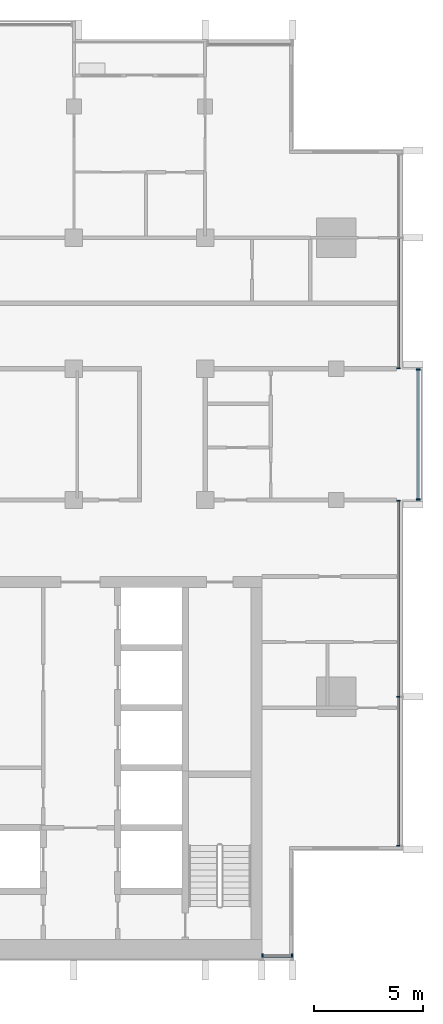
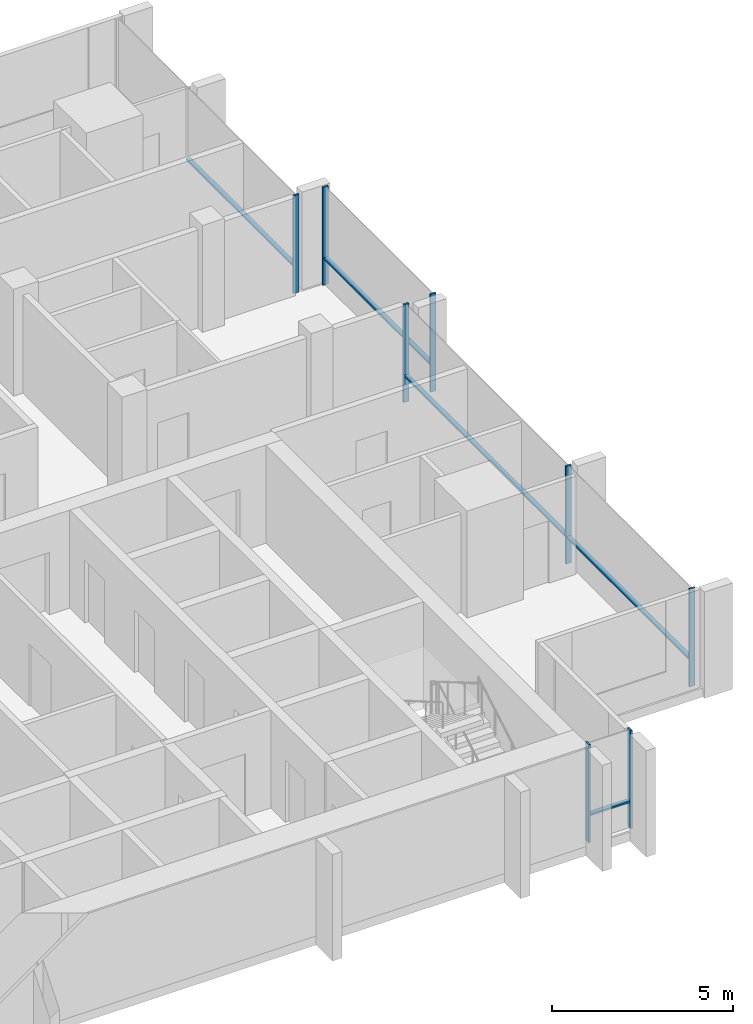
# One storey, part 3 of 16: 13 members, 4 elements without a shape of their own.
"""IFC4 building model written with IfcOpenShell, lengths in metres."""

from ifc_helpers import new_model, si_unit, direction, frame, origin, origin_2d, place, context, subcontext, project, spatial, rectangle, extrude, material, material_profile, profile_set, type_object, element, aggregate, save


model = new_model("IFC4")

# Units and contexts
model_context = context("Model", 3, precision=1e-05, world=origin(), true_north=direction((0.0, 1.0)))
body_context = subcontext(model_context, "Body", "Model", "MODEL_VIEW")
ifc_project = project(units=[si_unit("LENGTHUNIT", "METRE"), si_unit("AREAUNIT", "SQUARE_METRE"), si_unit("VOLUMEUNIT", "CUBIC_METRE"), si_unit("PLANEANGLEUNIT", "RADIAN"), si_unit("MASSUNIT", "GRAM", prefix="KILO")], contexts=[model_context])

# Site, building, storey
site_placement = place(None, origin())
site = spatial("IfcSite", under=ifc_project, at=site_placement, CompositionType="ELEMENT")
building_placement = place(site_placement, origin())
building = spatial("IfcBuilding", under=site, at=building_placement, Name="Finial Court Residences", CompositionType="ELEMENT")
storey_placement = place(building_placement, frame((0.0, 0.0, 262.699951171875)))
storey = spatial("IfcBuildingStorey", under=building, at=storey_placement, Name="L66", CompositionType="ELEMENT", Elevation=262.699951171875)

# Curtain wall, members
ifc_material = material(Name="Bronze anodised aluminium", Category="aluminium")
curtain_wall_type = type_object("IfcCurtainWallType", Name="Unitised curtain wall, upper zones", PredefinedType="NOTDEFINED", material=ifc_material)
curtain_wall_1_placement = place(storey_placement, origin())
curtain_wall_1 = element("IfcCurtainWall", 1, at=curtain_wall_1_placement, inside=storey, type_object=curtain_wall_type, Name="E-L66-CW-E4", PredefinedType="NOTDEFINED")
ifc_material_profile_1 = material_profile(ifc_material, rectangle(XDim=0.175048828125, YDim=0.06005859375, at=origin_2d()), Name="CW2 mullion 60 x 175")
ifc_profile_set_1 = profile_set([ifc_material_profile_1], Name="Bronze anodised aluminium")
member_type_1 = type_object("IfcMemberType", Name="CW2 mullion 60 x 175", PredefinedType="MULLION", material=ifc_profile_set_1)
member_1_placement = place(storey_placement, frame((19.35009765625, -20.320068359375, 0.0), z_axis=(0.0, 0.0, 1.0), x_axis=(-1.0, 0.0, 0.0)))
member_1 = element("IfcMember", 2, at=member_1_placement, type_object=member_type_1, Name="CW2 mullion 1", PredefinedType="MULLION", context=body_context, shape_type="SweptSolid", body=[
    extrude(rectangle(XDim=0.175048828125, YDim=0.06005859375, at=origin_2d()), origin(), (0.0, 0.0, 1.0), 3.300048828125),
])
member_2_placement = place(storey_placement, frame((19.35009765625, -13.5, 0.0), z_axis=(0.0, 0.0, 1.0), x_axis=(-1.0, 0.0, 0.0)))
member_2 = element("IfcMember", 3, at=member_2_placement, type_object=member_type_1, Name="CW2 mullion 2", PredefinedType="MULLION", context=body_context, shape_type="SweptSolid", body=[
    extrude(rectangle(XDim=0.175048828125, YDim=0.06005859375, at=origin_2d()), origin(), (0.0, 0.0, 1.0), 3.300048828125),
])
member_3_placement = place(storey_placement, frame((19.35009765625, -4.530029296875, 0.0), z_axis=(0.0, 0.0, 1.0), x_axis=(-1.0, 0.0, 0.0)))
member_3 = element("IfcMember", 4, at=member_3_placement, type_object=member_type_1, Name="CW2 mullion 3", PredefinedType="MULLION", context=body_context, shape_type="SweptSolid", body=[
    extrude(rectangle(XDim=0.175048828125, YDim=0.06005859375, at=origin_2d()), origin(), (0.0, 0.0, 1.0), 3.300048828125),
])

curtain_wall_2_placement = place(storey_placement, origin())
curtain_wall_2 = element("IfcCurtainWall", 5, at=curtain_wall_2_placement, inside=storey, type_object=curtain_wall_type, Name="E-L66-CW-E5", PredefinedType="NOTDEFINED")
member_4_placement = place(storey_placement, frame((20.25, -4.469970703125, 0.0), z_axis=(0.0, 0.0, 1.0), x_axis=(-1.0, 0.0, 0.0)))
member_4 = element("IfcMember", 6, at=member_4_placement, type_object=member_type_1, Name="CW2 mullion 1", PredefinedType="MULLION", context=body_context, shape_type="SweptSolid", body=[
    extrude(rectangle(XDim=0.175048828125, YDim=0.06005859375, at=origin_2d()), origin(), (0.0, 0.0, 1.0), 3.300048828125),
])
member_5_placement = place(storey_placement, frame((20.25, 1.469970703125, 0.0), z_axis=(0.0, 0.0, 1.0), x_axis=(-1.0, 0.0, 0.0)))
member_5 = element("IfcMember", 7, at=member_5_placement, type_object=member_type_1, Name="CW2 mullion 2", PredefinedType="MULLION", context=body_context, shape_type="SweptSolid", body=[
    extrude(rectangle(XDim=0.175048828125, YDim=0.06005859375, at=origin_2d()), origin(), (0.0, 0.0, 1.0), 3.300048828125),
])

# Curtain wall, member
curtain_wall_3_placement = place(storey_placement, origin())
curtain_wall_3 = element("IfcCurtainWall", 8, at=curtain_wall_3_placement, inside=storey, type_object=curtain_wall_type, Name="E-L66-CW-E6", PredefinedType="NOTDEFINED")
member_6_placement = place(storey_placement, frame((19.35009765625, 1.530029296875, 0.0), z_axis=(0.0, 0.0, 1.0), x_axis=(-1.0, 0.0, 0.0)))
member_6 = element("IfcMember", 9, at=member_6_placement, type_object=member_type_1, Name="CW2 mullion 1", PredefinedType="MULLION", context=body_context, shape_type="SweptSolid", body=[
    extrude(rectangle(XDim=0.175048828125, YDim=0.06005859375, at=origin_2d()), origin(), (0.0, 0.0, 1.0), 3.300048828125),
])

# Curtain wall, members
curtain_wall_4_placement = place(storey_placement, origin())
curtain_wall_4 = element("IfcCurtainWall", 10, at=curtain_wall_4_placement, inside=storey, type_object=curtain_wall_type, Name="E-L66-CW-S8", PredefinedType="NOTDEFINED")
member_7_placement = place(storey_placement, frame((13.1298828125, -25.35009765625, 0.0), z_axis=(0.0, 0.0, 1.0), x_axis=(0.0, 1.0, 0.0)))
member_7 = element("IfcMember", 11, at=member_7_placement, type_object=member_type_1, Name="CW2 mullion 1", PredefinedType="MULLION", context=body_context, shape_type="SweptSolid", body=[
    extrude(rectangle(XDim=0.175048828125, YDim=0.06005859375, at=origin_2d()), origin(), (0.0, 0.0, 1.0), 3.300048828125),
])
member_8_placement = place(storey_placement, frame((14.469970703125, -25.35009765625, 0.0), z_axis=(0.0, 0.0, 1.0), x_axis=(0.0, 1.0, 0.0)))
member_8 = element("IfcMember", 12, at=member_8_placement, type_object=member_type_1, Name="CW2 mullion 2", PredefinedType="MULLION", context=body_context, shape_type="SweptSolid", body=[
    extrude(rectangle(XDim=0.175048828125, YDim=0.06005859375, at=origin_2d()), origin(), (0.0, 0.0, 1.0), 3.300048828125),
])

# Member
ifc_material_profile_2 = material_profile(ifc_material, rectangle(XDim=0.139892578125, YDim=0.06005859375, at=origin_2d()), Name="CW2 transom 60 x 140")
ifc_profile_set_2 = profile_set([ifc_material_profile_2], Name="Bronze anodised aluminium")
member_type_2 = type_object("IfcMemberType", Name="CW2 transom 60 x 140", PredefinedType="USERDEFINED", material=ifc_profile_set_2)
member_9_placement = place(storey_placement, frame((19.35009765625, -20.2900390625, 0.900146484375), z_axis=(0.0, 1.0, 0.0), x_axis=(-1.0, 0.0, 0.0)))
member_9 = element("IfcMember", 13, at=member_9_placement, type_object=member_type_2, Name="CW2 transom 1.1", ObjectType="TRANSOM", PredefinedType="USERDEFINED", context=body_context, shape_type="SweptSolid", body=[
    extrude(rectangle(XDim=0.139892578125, YDim=0.06005859375, at=origin_2d()), origin(), (0.0, 0.0, 1.0), 6.760009765625),
])

member_10_placement = place(storey_placement, frame((19.35009765625, -13.469970703125, 0.900146484375), z_axis=(0.0, 1.0, 0.0), x_axis=(-1.0, 0.0, 0.0)))
member_10 = element("IfcMember", 14, at=member_10_placement, type_object=member_type_2, Name="CW2 transom 2.1", ObjectType="TRANSOM", PredefinedType="USERDEFINED", context=body_context, shape_type="SweptSolid", body=[
    extrude(rectangle(XDim=0.139892578125, YDim=0.06005859375, at=origin_2d()), origin(), (0.0, 0.0, 1.0), 8.909912109375),
])

aggregate(curtain_wall_1, [member_1, member_2, member_3, member_9, member_10])

member_11_placement = place(storey_placement, frame((20.25, -4.43994140625, 0.900146484375), z_axis=(0.0, 1.0, 0.0), x_axis=(-1.0, 0.0, 0.0)))
member_11 = element("IfcMember", 15, at=member_11_placement, type_object=member_type_2, Name="CW2 transom 1.1", ObjectType="TRANSOM", PredefinedType="USERDEFINED", context=body_context, shape_type="SweptSolid", body=[
    extrude(rectangle(XDim=0.139892578125, YDim=0.06005859375, at=origin_2d()), origin(), (0.0, 0.0, 1.0), 5.8798828125),
])

aggregate(curtain_wall_2, [member_4, member_5, member_11])

member_12_placement = place(storey_placement, frame((19.35009765625, 1.56005859375, 0.900146484375), z_axis=(0.0, 1.0, 0.0), x_axis=(-1.0, 0.0, 0.0)))
member_12 = element("IfcMember", 16, at=member_12_placement, type_object=member_type_2, Name="CW2 transom 1.1", ObjectType="TRANSOM", PredefinedType="USERDEFINED", context=body_context, shape_type="SweptSolid", body=[
    extrude(rectangle(XDim=0.139892578125, YDim=0.06005859375, at=origin_2d()), origin(), (0.0, 0.0, 1.0), 5.909912109375),
])

aggregate(curtain_wall_3, [member_6, member_12])

member_13_placement = place(storey_placement, frame((13.159912109375, -25.35009765625, 0.900146484375), z_axis=(1.0, 0.0, 0.0), x_axis=(0.0, 1.0, 0.0)))
member_13 = element("IfcMember", 17, at=member_13_placement, type_object=member_type_2, Name="CW2 transom 1.1", ObjectType="TRANSOM", PredefinedType="USERDEFINED", context=body_context, shape_type="SweptSolid", body=[
    extrude(rectangle(XDim=0.139892578125, YDim=0.06005859375, at=origin_2d()), origin(), (0.0, 0.0, 1.0), 1.280029296875),
])

aggregate(curtain_wall_4, [member_7, member_8, member_13])

save(model, "model.ifc")
